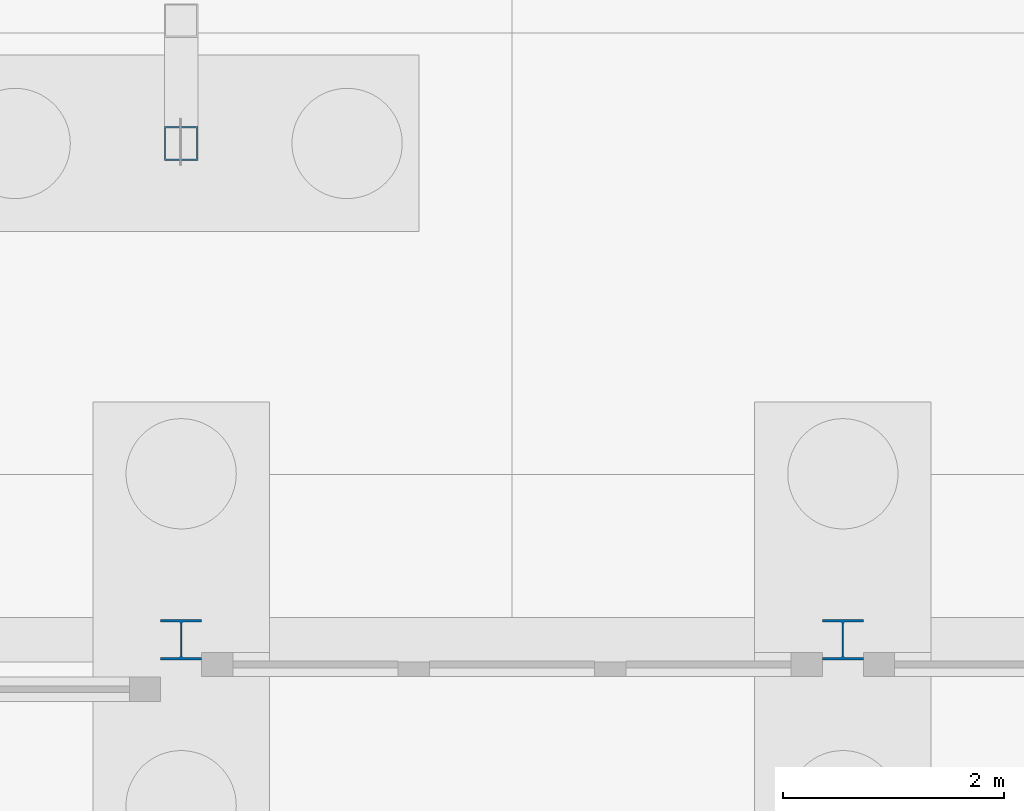
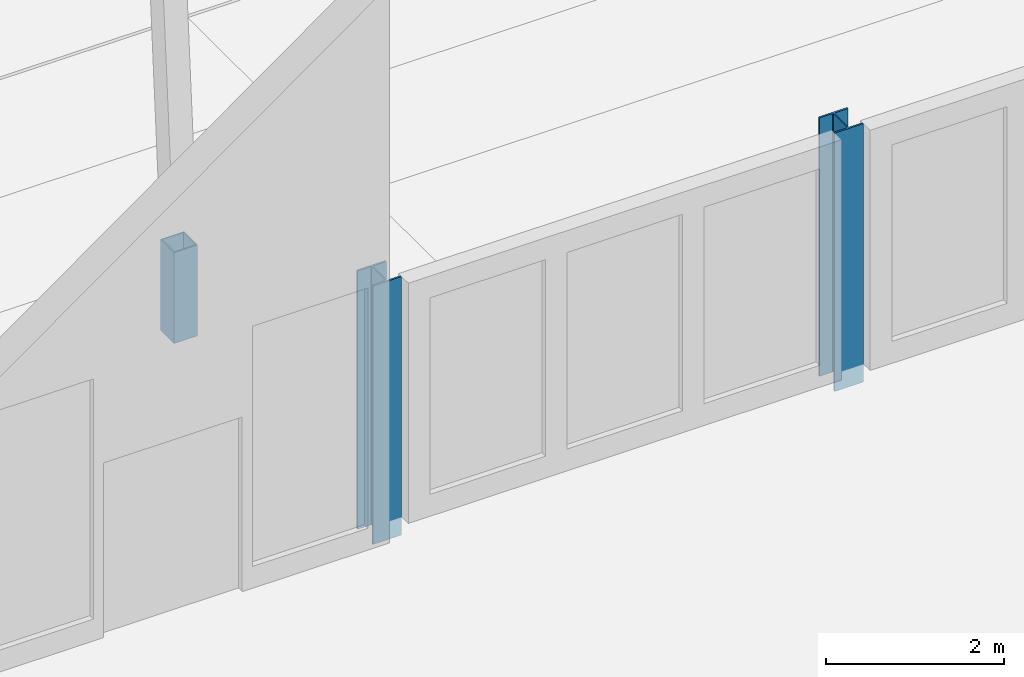
# One storey, part 12 of 130: 3 columns.
"""IFC4 building model written with IfcOpenShell, lengths in metres."""

from ifc_helpers import new_model, si_unit, direction, frame, origin, origin_2d, place, context, subcontext, project, spatial, hollow_rectangle, i_section, extrude, material, material_profile, profile_set, type_object, element, save


model = new_model("IFC4")

# Units and contexts
model_context = context("Model", 3, precision=1e-05, world=origin(), true_north=direction((0.0, 1.0)))
body_context = subcontext(model_context, "Body", "Model", "MODEL_VIEW")
ifc_project = project(units=[si_unit("LENGTHUNIT", "METRE"), si_unit("AREAUNIT", "SQUARE_METRE"), si_unit("VOLUMEUNIT", "CUBIC_METRE"), si_unit("PLANEANGLEUNIT", "RADIAN"), si_unit("MASSUNIT", "GRAM", prefix="KILO")], contexts=[model_context])

# Site, building, storey
site_placement = place(None, origin())
site = spatial("IfcSite", under=ifc_project, at=site_placement, CompositionType="ELEMENT")
building_placement = place(site_placement, origin())
building = spatial("IfcBuilding", under=site, at=building_placement, Name="Parallax Yard Mobility Hub", CompositionType="ELEMENT")
storey_placement = place(building_placement, origin())
storey = spatial("IfcBuildingStorey", under=building, at=storey_placement, Name="L00", CompositionType="ELEMENT", Elevation=0.0)

# Columns
ifc_material_1 = material(Name="Steel ASTM A500 Gr C", Category="steel")
ifc_material_profile_1 = material_profile(ifc_material_1, hollow_rectangle(XDim=0.3046875, YDim=0.3046875, WallThickness=0.0126953125, at=origin_2d()), Name="HSS305x305x12.7")
ifc_profile_set_1 = profile_set([ifc_material_profile_1], Name="Steel ASTM A500 Gr C")
column_type_1 = type_object("IfcColumnType", Name="Roof column HSS305x305x12.7", PredefinedType="COLUMN", material=ifc_profile_set_1)
column_placement = place(storey_placement, frame((57.0, 57.0, -0.25), z_axis=(0.0, 0.0, 1.0), x_axis=(1.0, 0.0, 0.0)))
element("IfcColumn", 1, at=column_placement, inside=storey, type_object=column_type_1, Name="Prow strut stub F9", PredefinedType="COLUMN", context=body_context, shape_type="SweptSolid", body=[
    extrude(hollow_rectangle(XDim=0.3046875, YDim=0.3046875, WallThickness=0.0126953125, at=origin_2d()), origin(), (0.0, 0.0, 1.0), 1.25),
])
ifc_material_2 = material(Name="Steel ASTM A992", Category="steel")
ifc_material_profile_2 = material_profile(ifc_material_2, i_section(OverallWidth=0.373046875, OverallDepth=0.367919921875, WebThickness=0.014892578125, FlangeThickness=0.02392578125, FilletRadius=0.01513671875, at=origin_2d()), Name="W360x179")
ifc_profile_set_2 = profile_set([ifc_material_profile_2], Name="Steel ASTM A992")
column_type_2 = type_object("IfcColumnType", Name="W360x179 column", PredefinedType="COLUMN", material=ifc_profile_set_2)
for number, where, z_axis, x_axis, name in (
    (2, (57.0, 52.5, -0.25), (0.0, 0.0, 1.0), (1.0, 0.0, 0.0), "Column C7 level L00 at F9/H of bus and taxi deck"),
    (3, (63.0, 52.5, -0.25), (0.0, 0.0, 1.0), (1.0, 0.0, 0.0), "Column C7 level L00 at F10/H of bus and taxi deck"),
):
    element("IfcColumn", number, at=place(storey_placement, frame(where, z_axis=z_axis, x_axis=x_axis)), inside=storey, type_object=column_type_2, Name=name, PredefinedType="COLUMN", context=body_context, shape_type="SweptSolid", body=[
        extrude(i_section(OverallWidth=0.373046875, OverallDepth=0.367919921875, WebThickness=0.014892578125, FlangeThickness=0.02392578125, FilletRadius=0.01513671875, at=origin_2d()), origin(), (0.0, 0.0, 1.0), 3.550048828125),
    ])

save(model, "model.ifc")
